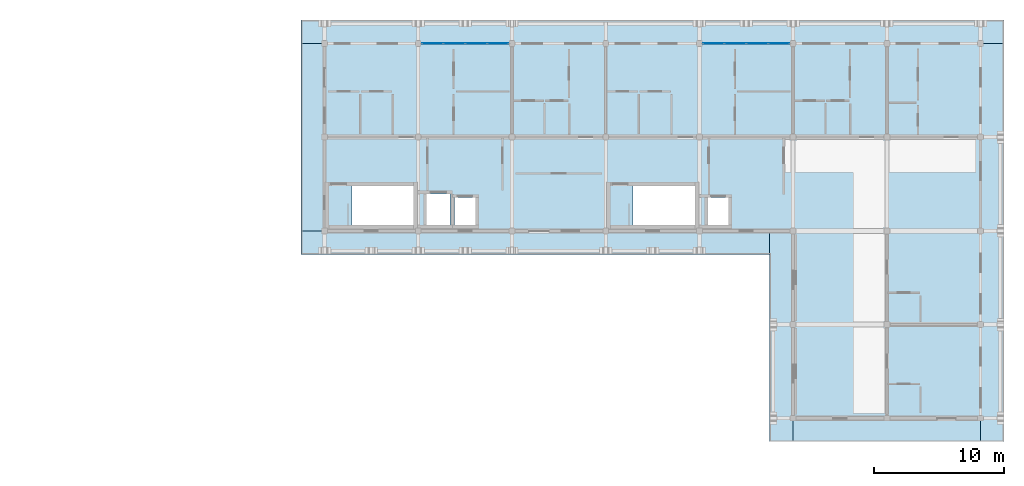
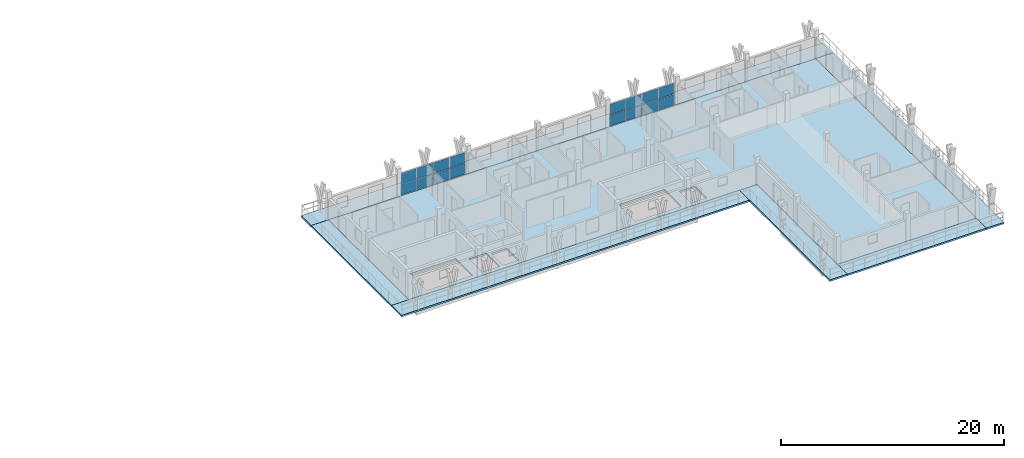
# One storey, part 16 of 32: 16 plates, 7 slabs, 2 elements without a shape of their own.
"""IFC4 building model written with IfcOpenShell, lengths in metres."""

from ifc_helpers import new_model, si_unit, direction, frame, origin, origin_2d, place, context, subcontext, project, spatial, polyline, rectangle, outline, extrude, material, layer, layer_set, type_object, element, aggregate, save


model = new_model("IFC4")

# Units and contexts
model_context = context("Model", 3, precision=1e-05, world=origin(), true_north=direction((0.0, 1.0)))
body_context = subcontext(model_context, "Body", "Model", "MODEL_VIEW")
ifc_project = project(units=[si_unit("LENGTHUNIT", "METRE"), si_unit("AREAUNIT", "SQUARE_METRE"), si_unit("VOLUMEUNIT", "CUBIC_METRE"), si_unit("PLANEANGLEUNIT", "RADIAN"), si_unit("MASSUNIT", "GRAM", prefix="KILO")], contexts=[model_context])

# Site, building, storey
site_placement = place(None, origin())
site = spatial("IfcSite", under=ifc_project, at=site_placement, CompositionType="ELEMENT")
building_placement = place(site_placement, origin())
building = spatial("IfcBuilding", under=site, at=building_placement, Name="Suanplinth Sawtooth Commons", CompositionType="ELEMENT")
storey_placement = place(building_placement, frame((0.0, 0.0, 41.199951171875)))
storey = spatial("IfcBuildingStorey", under=building, at=storey_placement, Name="L12", CompositionType="ELEMENT", Elevation=41.199951171875)

# Curtain wall, plates
ifc_material_1 = material(Name="Anodized aluminium and low-E glazing", Category="aluminium")
curtain_wall_type = type_object("IfcCurtainWallType", Name="CW-06", PredefinedType="USERDEFINED", material=ifc_material_1)
curtain_wall_1_placement = place(storey_placement, origin())
curtain_wall_1 = element("IfcCurtainWall", 1, at=curtain_wall_1_placement, inside=storey, type_object=curtain_wall_type, Name="Curtain Wall CW-L12-B-LOUNGE-20", ObjectType="CURTAIN WALL", PredefinedType="USERDEFINED")
ifc_material_2 = material(Name="Tempered low-E double glazing", Category="glass")
ifc_layer_1 = layer(ifc_material_2, 0.028076171875, Name="Vision low-E insulated glazing unit 28mm")
ifc_layer_set_1 = layer_set([ifc_layer_1], Name="Tempered low-E double glazing")
plate_type = type_object("IfcPlateType", Name="PL-05", PredefinedType="CURTAIN_PANEL", material=ifc_layer_set_1)
plate_1_placement = place(storey_placement, frame((145.0849609375, 122.39990234375, 0.06494140625), z_axis=(0.0, 0.0, 1.0), x_axis=(1.0, 0.0, 0.0)))
plate_1 = element("IfcPlate", 2, at=plate_1_placement, type_object=plate_type, Name="CW-06 panel 1.1", PredefinedType="CURTAIN_PANEL", context=body_context, shape_type="SweptSolid", body=[
    extrude(rectangle(XDim=1.590087890625, YDim=0.028076171875, at=origin_2d()), origin(), (0.0, 0.0, 1.0), 1.152587890625),
])
plate_2_placement = place(storey_placement, frame((145.0849609375, 122.39990234375, 1.28271484375), z_axis=(0.0, 0.0, 1.0), x_axis=(1.0, 0.0, 0.0)))
plate_2 = element("IfcPlate", 3, at=plate_2_placement, type_object=plate_type, Name="CW-06 panel 1.2", PredefinedType="CURTAIN_PANEL", context=body_context, shape_type="SweptSolid", body=[
    extrude(rectangle(XDim=1.590087890625, YDim=0.028076171875, at=origin_2d()), origin(), (0.0, 0.0, 1.0), 1.152587890625),
])
plate_3_placement = place(storey_placement, frame((146.75634765625, 122.39990234375, 0.06494140625), z_axis=(0.0, 0.0, 1.0), x_axis=(1.0, 0.0, 0.0)))
plate_3 = element("IfcPlate", 4, at=plate_3_placement, type_object=plate_type, Name="CW-06 panel 2.1", PredefinedType="CURTAIN_PANEL", context=body_context, shape_type="SweptSolid", body=[
    extrude(rectangle(XDim=1.62255859375, YDim=0.028076171875, at=origin_2d()), origin(), (0.0, 0.0, 1.0), 1.152587890625),
])
plate_4_placement = place(storey_placement, frame((146.75634765625, 122.39990234375, 1.28271484375), z_axis=(0.0, 0.0, 1.0), x_axis=(1.0, 0.0, 0.0)))
plate_4 = element("IfcPlate", 5, at=plate_4_placement, type_object=plate_type, Name="CW-06 panel 2.2", PredefinedType="CURTAIN_PANEL", context=body_context, shape_type="SweptSolid", body=[
    extrude(rectangle(XDim=1.62255859375, YDim=0.028076171875, at=origin_2d()), origin(), (0.0, 0.0, 1.0), 1.152587890625),
])
plate_5_placement = place(storey_placement, frame((148.44384765625, 122.39990234375, 0.06494140625), z_axis=(0.0, 0.0, 1.0), x_axis=(1.0, 0.0, 0.0)))
plate_5 = element("IfcPlate", 6, at=plate_5_placement, type_object=plate_type, Name="CW-06 panel 3.1", PredefinedType="CURTAIN_PANEL", context=body_context, shape_type="SweptSolid", body=[
    extrude(rectangle(XDim=1.62255859375, YDim=0.028076171875, at=origin_2d()), origin(), (0.0, 0.0, 1.0), 1.152587890625),
])
plate_6_placement = place(storey_placement, frame((148.44384765625, 122.39990234375, 1.28271484375), z_axis=(0.0, 0.0, 1.0), x_axis=(1.0, 0.0, 0.0)))
plate_6 = element("IfcPlate", 7, at=plate_6_placement, type_object=plate_type, Name="CW-06 panel 3.2", PredefinedType="CURTAIN_PANEL", context=body_context, shape_type="SweptSolid", body=[
    extrude(rectangle(XDim=1.62255859375, YDim=0.028076171875, at=origin_2d()), origin(), (0.0, 0.0, 1.0), 1.152587890625),
])
plate_7_placement = place(storey_placement, frame((150.114990234375, 122.39990234375, 0.06494140625), z_axis=(0.0, 0.0, 1.0), x_axis=(1.0, 0.0, 0.0)))
plate_7 = element("IfcPlate", 8, at=plate_7_placement, type_object=plate_type, Name="CW-06 panel 4.1", PredefinedType="CURTAIN_PANEL", context=body_context, shape_type="SweptSolid", body=[
    extrude(rectangle(XDim=1.590087890625, YDim=0.028076171875, at=origin_2d()), origin(), (0.0, 0.0, 1.0), 1.152587890625),
])
plate_8_placement = place(storey_placement, frame((150.114990234375, 122.39990234375, 1.28271484375), z_axis=(0.0, 0.0, 1.0), x_axis=(1.0, 0.0, 0.0)))
plate_8 = element("IfcPlate", 9, at=plate_8_placement, type_object=plate_type, Name="CW-06 panel 4.2", PredefinedType="CURTAIN_PANEL", context=body_context, shape_type="SweptSolid", body=[
    extrude(rectangle(XDim=1.590087890625, YDim=0.028076171875, at=origin_2d()), origin(), (0.0, 0.0, 1.0), 1.152587890625),
])
aggregate(curtain_wall_1, [plate_1, plate_2, plate_3, plate_4, plate_5, plate_6, plate_7, plate_8])

curtain_wall_2_placement = place(storey_placement, origin())
curtain_wall_2 = element("IfcCurtainWall", 10, at=curtain_wall_2_placement, inside=storey, type_object=curtain_wall_type, Name="Curtain Wall CW-L12-B-LOUNGE-23", ObjectType="CURTAIN WALL", PredefinedType="USERDEFINED")
plate_9_placement = place(storey_placement, frame((166.68505859375, 122.39990234375, 0.06494140625), z_axis=(0.0, 0.0, 1.0), x_axis=(1.0, 0.0, 0.0)))
plate_9 = element("IfcPlate", 11, at=plate_9_placement, type_object=plate_type, Name="CW-06 panel 1.1", PredefinedType="CURTAIN_PANEL", context=body_context, shape_type="SweptSolid", body=[
    extrude(rectangle(XDim=1.590087890625, YDim=0.028076171875, at=origin_2d()), origin(), (0.0, 0.0, 1.0), 1.152587890625),
])
plate_10_placement = place(storey_placement, frame((166.68505859375, 122.39990234375, 1.28271484375), z_axis=(0.0, 0.0, 1.0), x_axis=(1.0, 0.0, 0.0)))
plate_10 = element("IfcPlate", 12, at=plate_10_placement, type_object=plate_type, Name="CW-06 panel 1.2", PredefinedType="CURTAIN_PANEL", context=body_context, shape_type="SweptSolid", body=[
    extrude(rectangle(XDim=1.590087890625, YDim=0.028076171875, at=origin_2d()), origin(), (0.0, 0.0, 1.0), 1.152587890625),
])
plate_11_placement = place(storey_placement, frame((168.356201171875, 122.39990234375, 0.06494140625), z_axis=(0.0, 0.0, 1.0), x_axis=(1.0, 0.0, 0.0)))
plate_11 = element("IfcPlate", 13, at=plate_11_placement, type_object=plate_type, Name="CW-06 panel 2.1", PredefinedType="CURTAIN_PANEL", context=body_context, shape_type="SweptSolid", body=[
    extrude(rectangle(XDim=1.62255859375, YDim=0.028076171875, at=origin_2d()), origin(), (0.0, 0.0, 1.0), 1.152587890625),
])
plate_12_placement = place(storey_placement, frame((168.356201171875, 122.39990234375, 1.28271484375), z_axis=(0.0, 0.0, 1.0), x_axis=(1.0, 0.0, 0.0)))
plate_12 = element("IfcPlate", 14, at=plate_12_placement, type_object=plate_type, Name="CW-06 panel 2.2", PredefinedType="CURTAIN_PANEL", context=body_context, shape_type="SweptSolid", body=[
    extrude(rectangle(XDim=1.62255859375, YDim=0.028076171875, at=origin_2d()), origin(), (0.0, 0.0, 1.0), 1.152587890625),
])
plate_13_placement = place(storey_placement, frame((170.043701171875, 122.39990234375, 0.06494140625), z_axis=(0.0, 0.0, 1.0), x_axis=(1.0, 0.0, 0.0)))
plate_13 = element("IfcPlate", 15, at=plate_13_placement, type_object=plate_type, Name="CW-06 panel 3.1", PredefinedType="CURTAIN_PANEL", context=body_context, shape_type="SweptSolid", body=[
    extrude(rectangle(XDim=1.62255859375, YDim=0.028076171875, at=origin_2d()), origin(), (0.0, 0.0, 1.0), 1.152587890625),
])
plate_14_placement = place(storey_placement, frame((170.043701171875, 122.39990234375, 1.28271484375), z_axis=(0.0, 0.0, 1.0), x_axis=(1.0, 0.0, 0.0)))
plate_14 = element("IfcPlate", 16, at=plate_14_placement, type_object=plate_type, Name="CW-06 panel 3.2", PredefinedType="CURTAIN_PANEL", context=body_context, shape_type="SweptSolid", body=[
    extrude(rectangle(XDim=1.62255859375, YDim=0.028076171875, at=origin_2d()), origin(), (0.0, 0.0, 1.0), 1.152587890625),
])
plate_15_placement = place(storey_placement, frame((171.715087890625, 122.39990234375, 0.06494140625), z_axis=(0.0, 0.0, 1.0), x_axis=(1.0, 0.0, 0.0)))
plate_15 = element("IfcPlate", 17, at=plate_15_placement, type_object=plate_type, Name="CW-06 panel 4.1", PredefinedType="CURTAIN_PANEL", context=body_context, shape_type="SweptSolid", body=[
    extrude(rectangle(XDim=1.590087890625, YDim=0.028076171875, at=origin_2d()), origin(), (0.0, 0.0, 1.0), 1.152587890625),
])
plate_16_placement = place(storey_placement, frame((171.715087890625, 122.39990234375, 1.28271484375), z_axis=(0.0, 0.0, 1.0), x_axis=(1.0, 0.0, 0.0)))
plate_16 = element("IfcPlate", 18, at=plate_16_placement, type_object=plate_type, Name="CW-06 panel 4.2", PredefinedType="CURTAIN_PANEL", context=body_context, shape_type="SweptSolid", body=[
    extrude(rectangle(XDim=1.590087890625, YDim=0.028076171875, at=origin_2d()), origin(), (0.0, 0.0, 1.0), 1.152587890625),
])
aggregate(curtain_wall_2, [plate_9, plate_10, plate_11, plate_12, plate_13, plate_14, plate_15, plate_16])

# Slabs
ifc_material_3 = material(Name="Precast concrete C40/50", Category="concrete")
ifc_layer_2 = layer(ifc_material_3, 0.179931640625, Name="Wrap-around cantilevered precast balcony slab 180mm")
ifc_layer_set_2 = layer_set([ifc_layer_2], Name="Precast concrete C40/50")
slab_type_1 = type_object("IfcSlabType", Name="S-BL01", PredefinedType="FLOOR", material=ifc_layer_set_2)
slab_1_placement = place(storey_placement, frame((0.0, 0.0, -0.179931640625)))
element("IfcSlab", 19, at=slab_1_placement, inside=storey, type_object=slab_type_1, Name="L12 Block B Wrap-Around Balcony N", PredefinedType="FLOOR", context=body_context, shape_type="SweptSolid", body=[
    extrude(outline(polyline([(135.0, 122.39990234375), (135.0, 124.199951171875), (189.0, 124.199951171875), (189.0, 122.39990234375), (135.0, 122.39990234375)])), origin(), (0.0, 0.0, 1.0), 0.179931640625),
])
slab_2_placement = place(storey_placement, frame((0.0, 0.0, -0.179931640625)))
element("IfcSlab", 20, at=slab_2_placement, inside=storey, type_object=slab_type_1, Name="L12 Block B Wrap-Around Balcony E", PredefinedType="FLOOR", context=body_context, shape_type="SweptSolid", body=[
    extrude(outline(polyline([(189.0, 122.39990234375), (189.0, 91.800048828125), (187.199951171875, 91.800048828125), (187.199951171875, 122.39990234375), (189.0, 122.39990234375)])), origin(), (0.0, 0.0, 1.0), 0.179931640625),
])
slab_3_placement = place(storey_placement, frame((0.0, 0.0, -0.179931640625)))
element("IfcSlab", 21, at=slab_3_placement, inside=storey, type_object=slab_type_1, Name="L12 Block B Wrap-Around Balcony WEND", PredefinedType="FLOOR", context=body_context, shape_type="SweptSolid", body=[
    extrude(outline(polyline([(136.800048828125, 108.0), (135.0, 108.0), (135.0, 122.39990234375), (136.800048828125, 122.39990234375), (136.800048828125, 108.0)])), origin(), (0.0, 0.0, 1.0), 0.179931640625),
])
slab_4_placement = place(storey_placement, frame((0.0, 0.0, -0.179931640625)))
element("IfcSlab", 22, at=slab_4_placement, inside=storey, type_object=slab_type_1, Name="L12 Block B Wrap-Around Balcony SEND", PredefinedType="FLOOR", context=body_context, shape_type="SweptSolid", body=[
    extrude(outline(polyline([(187.199951171875, 91.800048828125), (172.800048828125, 91.800048828125), (172.800048828125, 93.60009765625), (187.199951171875, 93.60009765625), (187.199951171875, 91.800048828125)])), origin(), (0.0, 0.0, 1.0), 0.179931640625),
])
ifc_layer_3 = layer(ifc_material_3, 0.175048828125, Name="Courtyard cantilevered precast balcony slab 175mm")
ifc_layer_set_3 = layer_set([ifc_layer_3], Name="Precast concrete C40/50")
slab_type_2 = type_object("IfcSlabType", Name="S-BL02", PredefinedType="FLOOR", material=ifc_layer_set_3)
slab_5_placement = place(storey_placement, frame((0.0, 0.0, -0.175048828125)))
element("IfcSlab", 23, at=slab_5_placement, inside=storey, type_object=slab_type_2, Name="L12 Block B Wrap-Around Balcony SC", PredefinedType="FLOOR", context=body_context, shape_type="SweptSolid", body=[
    extrude(outline(polyline([(171.0, 106.199951171875), (135.0, 106.199951171875), (135.0, 108.0), (171.0, 108.0), (171.0, 106.199951171875)])), origin(), (0.0, 0.0, 1.0), 0.175048828125),
])
slab_6_placement = place(storey_placement, frame((0.0, 0.0, -0.175048828125)))
element("IfcSlab", 24, at=slab_6_placement, inside=storey, type_object=slab_type_2, Name="L12 Block B Wrap-Around Balcony WC", PredefinedType="FLOOR", context=body_context, shape_type="SweptSolid", body=[
    extrude(outline(polyline([(172.800048828125, 91.800048828125), (171.0, 91.800048828125), (171.0, 108.0), (172.800048828125, 108.0), (172.800048828125, 91.800048828125)])), origin(), (0.0, 0.0, 1.0), 0.175048828125),
])
ifc_layer_4 = layer(ifc_material_3, 0.2099609375, Name="Precast hollow-core + topping floor slab 210mm")
ifc_layer_set_4 = layer_set([ifc_layer_4], Name="Precast concrete C40/50")
slab_type_3 = type_object("IfcSlabType", Name="S-FL04", PredefinedType="FLOOR", material=ifc_layer_set_4)
slab_7_placement = place(storey_placement, frame((0.0, 0.0, -0.2099609375)))
element("IfcSlab", 25, at=slab_7_placement, inside=storey, type_object=slab_type_3, Name="L12 Block B Structural Floor Plate", PredefinedType="FLOOR", context=body_context, shape_type="SweptSolid", body=[
    extrude(outline(polyline([(172.800048828125, 108.0), (136.800048828125, 108.0), (136.800048828125, 122.39990234375), (187.199951171875, 122.39990234375), (187.199951171875, 93.60009765625), (172.800048828125, 93.60009765625), (172.800048828125, 108.0)]), holes=[polyline([(138.889892578125, 108.449951171875), (143.64990234375, 108.449951171875), (143.64990234375, 111.449951171875), (138.889892578125, 111.449951171875), (138.889892578125, 108.449951171875)]), polyline([(144.64990234375, 108.449951171875), (146.449951171875, 108.449951171875), (146.449951171875, 110.85009765625), (144.64990234375, 110.85009765625), (144.64990234375, 108.449951171875)]), polyline([(146.800048828125, 108.449951171875), (148.39990234375, 108.449951171875), (148.39990234375, 110.550048828125), (146.800048828125, 110.550048828125), (146.800048828125, 108.449951171875)]), polyline([(160.489990234375, 108.449951171875), (165.25, 108.449951171875), (165.25, 111.449951171875), (160.489990234375, 111.449951171875), (160.489990234375, 108.449951171875)]), polyline([(166.25, 108.449951171875), (167.85009765625, 108.449951171875), (167.85009765625, 110.550048828125), (166.25, 110.550048828125), (166.25, 108.449951171875)])]), origin(), (0.0, 0.0, 1.0), 0.2099609375),
])

save(model, "model.ifc")
